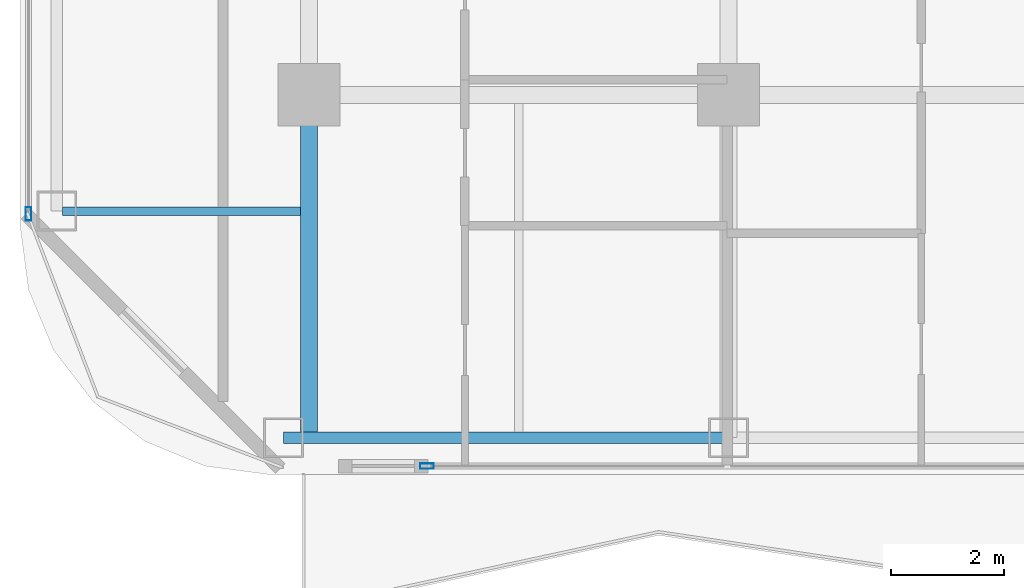
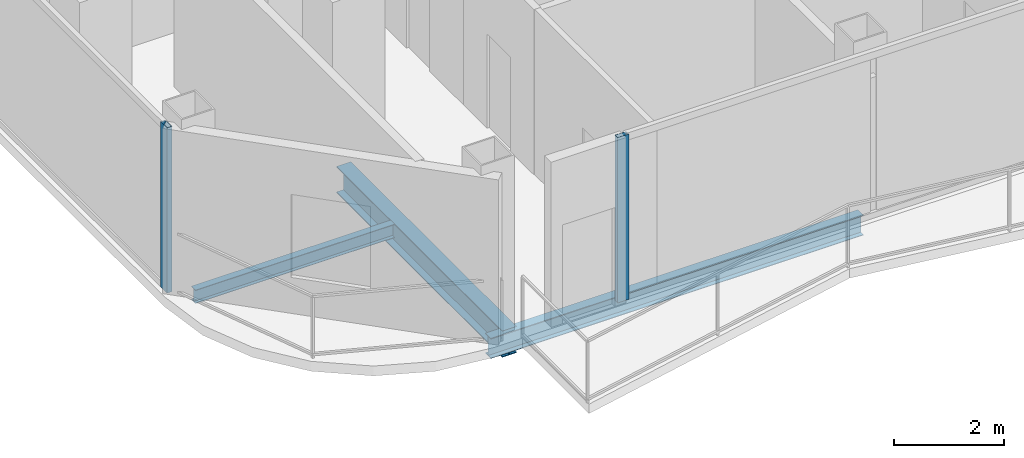
# One storey, part 2 of 29: 3 beams, 2 members, 2 elements without a shape of their own.
"""IFC4 building model written with IfcOpenShell, lengths in metres."""

from ifc_helpers import new_model, si_unit, direction, frame, origin, origin_2d, place, context, subcontext, project, spatial, hollow_rectangle, i_section, extrude, material, layer, layer_set, material_profile, profile_set, type_object, element, aggregate, save


model = new_model("IFC4")

# Units and contexts
model_context = context("Model", 3, precision=1e-05, world=origin(), true_north=direction((0.0, 1.0)))
body_context = subcontext(model_context, "Body", "Model", "MODEL_VIEW")
ifc_project = project(units=[si_unit("LENGTHUNIT", "METRE"), si_unit("AREAUNIT", "SQUARE_METRE"), si_unit("VOLUMEUNIT", "CUBIC_METRE"), si_unit("PLANEANGLEUNIT", "RADIAN"), si_unit("MASSUNIT", "GRAM", prefix="KILO")], contexts=[model_context])

# Site, building, storey
site_placement = place(None, origin())
site = spatial("IfcSite", under=ifc_project, at=site_placement, CompositionType="ELEMENT")
building_placement = place(site_placement, origin())
building = spatial("IfcBuilding", under=site, at=building_placement, Name="Khorvyn Point Tower", CompositionType="ELEMENT")
storey_placement = place(building_placement, frame((0.0, 0.0, 140.699951171875)))
storey = spatial("IfcBuildingStorey", under=building, at=storey_placement, Name="L35", CompositionType="ELEMENT", Elevation=140.699951171875)

# Curtain wall, member
ifc_material_1 = material(Name="Anodised aluminium 6063-T6 and laminated Low-E glass", Category="aluminium")
ifc_layer = layer(ifc_material_1, 0.18994140625)
ifc_layer_set = layer_set([ifc_layer], Name="Stick-Built Acoustic Curtain Wall CW-SYS-03")
curtain_wall_type = type_object("IfcCurtainWallType", Name="Stick-Built Acoustic Curtain Wall CW-SYS-03", PredefinedType="NOTDEFINED", material=ifc_layer_set)
curtain_wall_1_placement = place(storey_placement, origin())
curtain_wall_1 = element("IfcCurtainWall", 1, at=curtain_wall_1_placement, inside=storey, type_object=curtain_wall_type, Name="Curtain Wall", PredefinedType="NOTDEFINED")
ifc_material_2 = material(Name="Anodised aluminium 6063-T6", Category="aluminium")
ifc_material_profile_1 = material_profile(ifc_material_2, hollow_rectangle(XDim=0.10009765625, YDim=0.239990234375, WallThickness=0.0048828125, at=origin_2d()))
ifc_profile_set_1 = profile_set([ifc_material_profile_1], Name="Anodised aluminium 6063-T6 ALU-MUL-100x240")
member_type = type_object("IfcMemberType", Name="Anodised Aluminium 6063-T6 Mullion ALU-MUL-100x240", PredefinedType="MULLION", material=ifc_profile_set_1)
member_1_placement = place(storey_placement, frame((-12.718994140625, -23.64990234375, 0.0), z_axis=(0.0, 0.0, 1.0), x_axis=(0.0, -1.0, 0.0)))
member_1 = element("IfcMember", 2, at=member_1_placement, type_object=member_type, Name="Transom", PredefinedType="MULLION", context=body_context, shape_type="SweptSolid", body=[
    extrude(hollow_rectangle(XDim=0.10009765625, YDim=0.239990234375, WallThickness=0.0048828125, at=origin_2d()), origin(), (0.0, 0.0, 1.0), 3.679931640625),
])
aggregate(curtain_wall_1, [member_1])

curtain_wall_2_placement = place(storey_placement, origin())
curtain_wall_2 = element("IfcCurtainWall", 3, at=curtain_wall_2_placement, inside=storey, type_object=curtain_wall_type, Name="Curtain Wall", PredefinedType="NOTDEFINED")
member_2_placement = place(storey_placement, frame((-19.75, -19.199951171875, 0.0), z_axis=(0.0, 0.0, 1.0), x_axis=(-1.0, 0.0, 0.0)))
member_2 = element("IfcMember", 4, at=member_2_placement, type_object=member_type, Name="Transom", PredefinedType="MULLION", context=body_context, shape_type="SweptSolid", body=[
    extrude(hollow_rectangle(XDim=0.10009765625, YDim=0.239990234375, WallThickness=0.0048828125, at=origin_2d()), origin(), (0.0, 0.0, 1.0), 3.679931640625),
])
aggregate(curtain_wall_2, [member_2])

# Beams
ifc_material_3 = material(Name="Steel S355", Category="steel")
ifc_material_profile_2 = material_profile(ifc_material_3, i_section(OverallWidth=0.300048828125, OverallDepth=0.587890625, WebThickness=0.011962890625, FlangeThickness=0.02001953125, at=origin_2d()))
ifc_profile_set_2 = profile_set([ifc_material_profile_2], Name="Steel S355 H588x300x12x20")
beam_type_1 = type_object("IfcBeamType", Name="Steel S355 Beam H588x300x12x20", PredefinedType="BEAM", material=ifc_profile_set_2)
beam_1_placement = place(storey_placement, frame((-14.800048828125, -23.14990234375, -0.513916015625), z_axis=(0.0, 1.0, 0.0), x_axis=(-1.0, 0.0, 0.0)))
element("IfcBeam", 5, at=beam_1_placement, inside=storey, type_object=beam_type_1, Name="Beam", PredefinedType="BEAM", context=body_context, shape_type="SweptSolid", body=[
    extrude(i_section(OverallWidth=0.300048828125, OverallDepth=0.587890625, WebThickness=0.011962890625, FlangeThickness=0.02001953125, at=origin_2d()), origin(), (0.0, 0.0, 1.0), 6.0498046875),
])
ifc_material_profile_3 = material_profile(ifc_material_3, i_section(OverallWidth=0.14990234375, OverallDepth=0.300048828125, WebThickness=0.006591796875, FlangeThickness=0.009033203125, at=origin_2d()))
ifc_profile_set_3 = profile_set([ifc_material_profile_3], Name="Steel S355 H300x150x6.5x9")
beam_type_2 = type_object("IfcBeamType", Name="Steel S355 Joist H300x150x6.5x9", PredefinedType="JOIST", material=ifc_profile_set_3)
beam_2_placement = place(storey_placement, frame((-19.14990234375, -19.14990234375, -0.369873046875), z_axis=(1.0, 0.0, 0.0), x_axis=(0.0, 1.0, 0.0)))
element("IfcBeam", 6, at=beam_2_placement, inside=storey, type_object=beam_type_2, Name="Beam", PredefinedType="JOIST", context=body_context, shape_type="SweptSolid", body=[
    extrude(i_section(OverallWidth=0.14990234375, OverallDepth=0.300048828125, WebThickness=0.006591796875, FlangeThickness=0.009033203125, at=origin_2d()), origin(), (0.0, 0.0, 1.0), 4.199951171875),
])
ifc_material_profile_4 = material_profile(ifc_material_3, i_section(OverallWidth=0.199951171875, OverallDepth=0.449951171875, WebThickness=0.009033203125, FlangeThickness=0.013916015625, at=origin_2d()))
ifc_profile_set_4 = profile_set([ifc_material_profile_4], Name="Steel S355 H450x200x9x14")
beam_type_3 = type_object("IfcBeamType", Name="Steel S355 Spandrel H450x200x9x14", PredefinedType="SPANDREL", material=ifc_profile_set_4)
beam_3_placement = place(storey_placement, frame((-15.25, -23.14990234375, -0.445068359375), z_axis=(1.0, 0.0, 0.0), x_axis=(0.0, 1.0, 0.0)))
element("IfcBeam", 7, at=beam_3_placement, inside=storey, type_object=beam_type_3, Name="Beam", PredefinedType="SPANDREL", context=body_context, shape_type="SweptSolid", body=[
    extrude(i_section(OverallWidth=0.199951171875, OverallDepth=0.449951171875, WebThickness=0.009033203125, FlangeThickness=0.013916015625, at=origin_2d()), origin(), (0.0, 0.0, 1.0), 7.85009765625),
])

save(model, "model.ifc")
